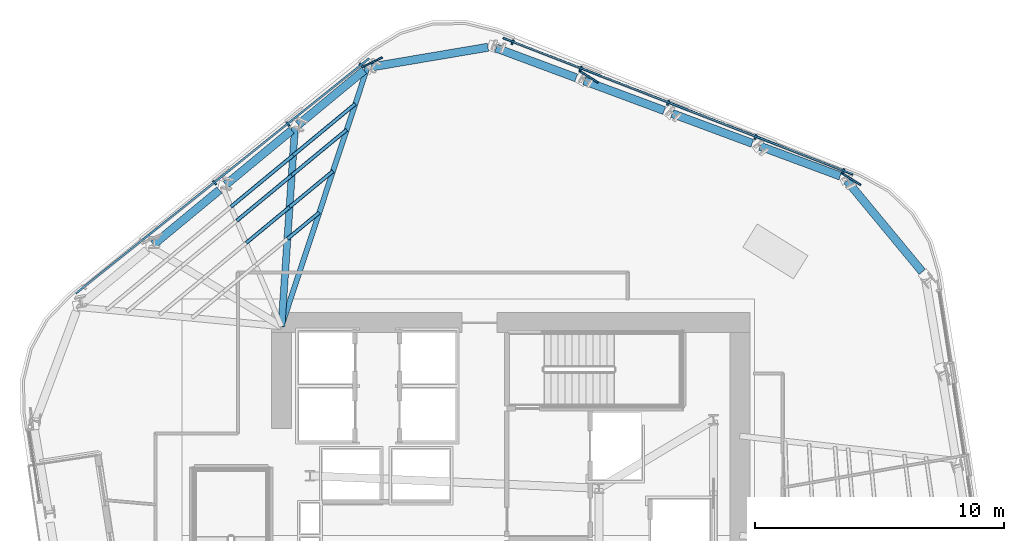
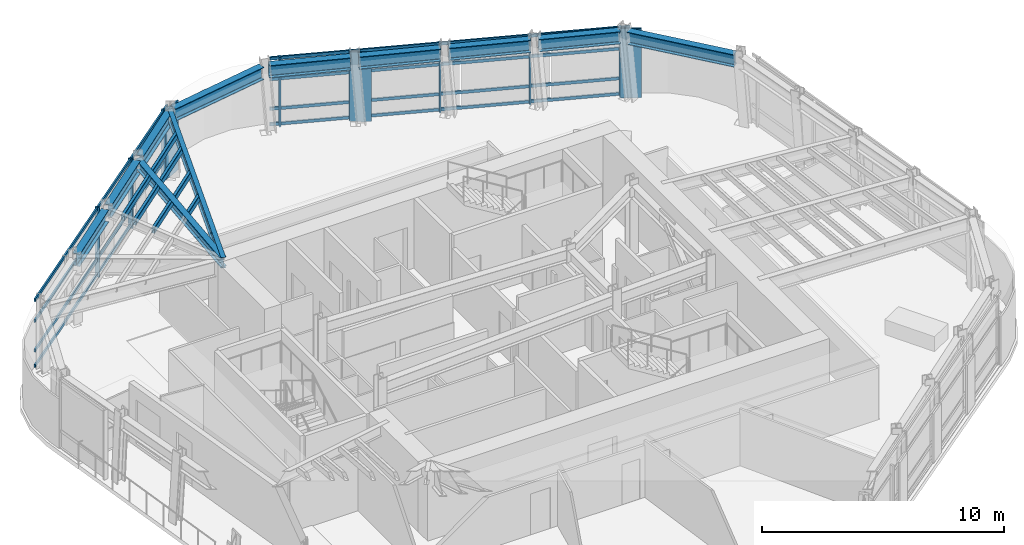
# One storey, part 6 of 15: 26 members, 11 beams, 2 elements without a shape of their own.
"""IFC4 building model written with IfcOpenShell, lengths in metres."""

from ifc_helpers import new_model, si_unit, direction, frame, origin, origin_2d, place, context, subcontext, project, spatial, rectangle, hollow_rectangle, i_section, extrude, material, layer, layer_set, material_profile, profile_set, type_object, element, aggregate, save


model = new_model("IFC4")

# Units and contexts
model_context = context("Model", 3, precision=1e-05, world=origin(), true_north=direction((0.0, 1.0)))
body_context = subcontext(model_context, "Body", "Model", "MODEL_VIEW")
ifc_project = project(units=[si_unit("LENGTHUNIT", "METRE"), si_unit("AREAUNIT", "SQUARE_METRE"), si_unit("VOLUMEUNIT", "CUBIC_METRE"), si_unit("PLANEANGLEUNIT", "RADIAN"), si_unit("MASSUNIT", "GRAM", prefix="KILO")], contexts=[model_context])

# Site, building, storey
site_placement = place(None, origin())
site = spatial("IfcSite", under=ifc_project, at=site_placement, CompositionType="ELEMENT")
building_placement = place(site_placement, origin())
building = spatial("IfcBuilding", under=site, at=building_placement, Name="Valkerne Bourse Tower", CompositionType="ELEMENT")
storey_placement = place(building_placement, frame((0.0, 0.0, 189.39990234375)))
storey = spatial("IfcBuildingStorey", under=building, at=storey_placement, Name="L48", CompositionType="ELEMENT", Elevation=189.39990234375)

# Beams
ifc_material_1 = material(Name="Steel ASTM A992", Category="steel")
ifc_material_profile_1 = material_profile(ifc_material_1, i_section(OverallWidth=0.279296875, OverallDepth=0.46240234375, WebThickness=0.0107421875, FlangeThickness=0.017333984375, FilletRadius=0.017822265625, at=origin_2d()), Name="W18X76")
ifc_profile_set_1 = profile_set([ifc_material_profile_1], Name="Steel ASTM A992")
beam_type_1 = type_object("IfcBeamType", Name="BM-W18X76", PredefinedType="BEAM", material=ifc_profile_set_1)
beam_1_placement = place(storey_placement, frame((38.140625, 43.38330078125, 3.288818359375), z_axis=(-0.067551765023, -0.997715770669, 0.0), x_axis=(0.997715770669, -0.067551765023, 0.0)))
element("IfcBeam", 1, at=beam_1_placement, inside=storey, type_object=beam_type_1, Name="L48 Radial Composite Floor Beam 06", PredefinedType="BEAM", context=body_context, shape_type="SweptSolid", body=[
    extrude(i_section(OverallWidth=0.279296875, OverallDepth=0.46240234375, WebThickness=0.0107421875, FlangeThickness=0.017333984375, FilletRadius=0.017822265625, at=origin_2d()), origin(), (0.0, 0.0, 1.0), 8.001708984375),
])
ifc_material_profile_2 = material_profile(ifc_material_1, i_section(OverallWidth=0.209228515625, OverallDepth=0.533447265625, WebThickness=0.01025390625, FlangeThickness=0.015625, FilletRadius=0.017822265625, at=origin_2d()), Name="W21X62")
ifc_profile_set_2 = profile_set([ifc_material_profile_2], Name="Steel ASTM A992")
beam_type_2 = type_object("IfcBeamType", Name="BM-W21X62", PredefinedType="JOIST", material=ifc_profile_set_2)
beam_2_placement = place(storey_placement, frame((41.04638671875, 45.787109375, 3.25341796875), z_axis=(-0.314902351297, -0.949124074686, 0.0), x_axis=(0.949124074686, -0.314902351297, 0.0)))
element("IfcBeam", 2, at=beam_2_placement, inside=storey, type_object=beam_type_2, Name="L48 Radial Composite Floor Beam 05", PredefinedType="JOIST", context=body_context, shape_type="SweptSolid", body=[
    extrude(i_section(OverallWidth=0.209228515625, OverallDepth=0.533447265625, WebThickness=0.01025390625, FlangeThickness=0.015625, FilletRadius=0.017822265625, at=origin_2d()), origin(), (0.0, 0.0, 1.0), 10.944091796875),
])
ifc_material_profile_3 = material_profile(ifc_material_1, i_section(OverallWidth=0.32763671875, OverallDepth=0.62744140625, WebThickness=0.0166015625, FlangeThickness=0.027587890625, FilletRadius=0.020263671875, at=origin_2d()), Name="W24X146")
ifc_profile_set_3 = profile_set([ifc_material_profile_3], Name="Steel ASTM A992")
beam_type_3 = type_object("IfcBeamType", Name="BM-W24X146", PredefinedType="SPANDREL", material=ifc_profile_set_3)
beam_3_placement = place(storey_placement, frame((60.033935546875, 41.435791015625, 3.206298828125), z_axis=(-0.937296469693, 0.348533108758, 0.0), x_axis=(-0.348533108758, -0.937296469693, 0.0)))
element("IfcBeam", 3, at=beam_3_placement, inside=storey, type_object=beam_type_3, Name="L48 Hexagonal Spandrel Ring Beam 00", PredefinedType="SPANDREL", context=body_context, shape_type="SweptSolid", body=[
    extrude(i_section(OverallWidth=0.32763671875, OverallDepth=0.62744140625, WebThickness=0.0166015625, FlangeThickness=0.027587890625, FilletRadius=0.020263671875, at=origin_2d()), origin(), (0.0, 0.0, 1.0), 3.430908203125),
])
beam_4_placement = place(storey_placement, frame((56.49951171875, 42.750244140625, 3.206298828125), z_axis=(-0.9373051128, 0.348509864305, 0.0), x_axis=(-0.348509864305, -0.9373051128, 0.0)))
element("IfcBeam", 4, at=beam_4_placement, inside=storey, type_object=beam_type_3, Name="L48 Hexagonal Spandrel Ring Beam 01", PredefinedType="SPANDREL", context=body_context, shape_type="SweptSolid", body=[
    extrude(i_section(OverallWidth=0.32763671875, OverallDepth=0.62744140625, WebThickness=0.0166015625, FlangeThickness=0.027587890625, FilletRadius=0.020263671875, at=origin_2d()), origin(), (0.0, 0.0, 1.0), 3.43115234375),
])
for number, where, z_axis, x_axis, name in (
    (5, (52.96484375, 44.064697265625, 3.206298828125), (-0.937296469693, 0.348533108758, 0.0), (-0.348533108758, -0.937296469693, 0.0), "L48 Hexagonal Spandrel Ring Beam 02"),
    (6, (49.430419921875, 45.379150390625, 3.206298828125), (-0.937296469693, 0.348533108758, 0.0), (-0.348533108758, -0.937296469693, 0.0), "L48 Hexagonal Spandrel Ring Beam 03"),
):
    element("IfcBeam", number, at=place(storey_placement, frame(where, z_axis=z_axis, x_axis=x_axis)), inside=storey, type_object=beam_type_3, Name=name, PredefinedType="SPANDREL", context=body_context, shape_type="SweptSolid", body=[
        extrude(i_section(OverallWidth=0.32763671875, OverallDepth=0.62744140625, WebThickness=0.0166015625, FlangeThickness=0.027587890625, FilletRadius=0.020263671875, at=origin_2d()), origin(), (0.0, 0.0, 1.0), 3.430908203125),
    ])
beam_5_placement = place(storey_placement, frame((45.8876953125, 46.60595703125, 3.206298828125), z_axis=(-0.985995742621, -0.1667704876, 0.0), x_axis=(0.1667704876, -0.985995742621, 0.0)))
element("IfcBeam", 7, at=beam_5_placement, inside=storey, type_object=beam_type_3, Name="L48 Hexagonal Spandrel Ring Beam 04", PredefinedType="SPANDREL", context=body_context, shape_type="SweptSolid", body=[
    extrude(i_section(OverallWidth=0.32763671875, OverallDepth=0.62744140625, WebThickness=0.0166015625, FlangeThickness=0.027587890625, FilletRadius=0.020263671875, at=origin_2d()), origin(), (0.0, 0.0, 1.0), 4.740234375),
])
for number, where, z_axis, x_axis, name in (
    (8, (40.915283203125, 45.6787109375, 3.206298828125), (-0.770502780031, -0.637436636823, 0.0), (0.637436636823, -0.770502780031, 0.0), "L48 Hexagonal Spandrel Ring Beam 05"),
    (9, (38.009765625, 43.27490234375, 3.206298828125), (-0.770502780031, -0.637436636823, 0.0), (0.637436636823, -0.770502780031, 0.0), "L48 Hexagonal Spandrel Ring Beam 06"),
    (10, (35.10400390625, 40.87109375, 3.206298828125), (-0.770537729655, -0.637394389039, 0.0), (0.637394389039, -0.770537729655, 0.0), "L48 Hexagonal Spandrel Ring Beam 07"),
):
    element("IfcBeam", number, at=place(storey_placement, frame(where, z_axis=z_axis, x_axis=x_axis)), inside=storey, type_object=beam_type_3, Name=name, PredefinedType="SPANDREL", context=body_context, shape_type="SweptSolid", body=[
        extrude(i_section(OverallWidth=0.32763671875, OverallDepth=0.62744140625, WebThickness=0.0166015625, FlangeThickness=0.027587890625, FilletRadius=0.020263671875, at=origin_2d()), origin(), (0.0, 0.0, 1.0), 3.430908203125),
    ])
beam_6_placement = place(storey_placement, frame((63.322998046875, 37.593017578125, 3.206298828125), z_axis=(-0.637424347152, 0.770512947106, 0.0), x_axis=(-0.770512947106, -0.637424347152, 0.0)))
element("IfcBeam", 11, at=beam_6_placement, inside=storey, type_object=beam_type_3, Name="L48 Hexagonal Spandrel Ring Beam 29", PredefinedType="SPANDREL", context=body_context, shape_type="SweptSolid", body=[
    extrude(i_section(OverallWidth=0.32763671875, OverallDepth=0.62744140625, WebThickness=0.0166015625, FlangeThickness=0.027587890625, FilletRadius=0.020263671875, at=origin_2d()), origin(), (0.0, 0.0, 1.0), 4.740234375),
])

# Curtain wall, members
ifc_material_2 = material(Name="Aluminium AA 6063-T6", Category="aluminium")
ifc_layer = layer(ifc_material_2, 0.235107421875)
ifc_layer_set = layer_set([ifc_layer], Name="Aluminium AA 6063-T6")
curtain_wall_type = type_object("IfcCurtainWallType", Name="CW-03", PredefinedType="NOTDEFINED", material=ifc_layer_set)
curtain_wall_1_placement = place(storey_placement, origin())
curtain_wall_1 = element("IfcCurtainWall", 12, at=curtain_wall_1_placement, inside=storey, type_object=curtain_wall_type, Name="L48 Hexagonal Stick Curtain Wall Face 1", PredefinedType="NOTDEFINED")
ifc_material_profile_4 = material_profile(ifc_material_2, rectangle(XDim=0.074951171875, YDim=0.199951171875, at=origin_2d()), Name="CWM-75X200")
ifc_profile_set_4 = profile_set([ifc_material_profile_4], Name="Aluminium AA 6063-T6")
member_type_1 = type_object("IfcMemberType", Name="CW-MUL-220X75", PredefinedType="MULLION", material=ifc_profile_set_4)
member_1_placement = place(storey_placement, frame((60.149658203125, 41.633544921875, 0.0), z_axis=(0.0, 0.0, 1.0), x_axis=(-0.931683816039, 0.363270239534, 0.0)))
member_1 = element("IfcMember", 13, at=member_1_placement, type_object=member_type_1, Name="CW-L48-F1 Jamb Mullion 00A", PredefinedType="MULLION", context=body_context, shape_type="SweptSolid", body=[
    extrude(rectangle(XDim=0.074951171875, YDim=0.199951171875, at=origin_2d()), origin(), (0.0, 0.0, 1.0), 3.52001953125),
])
member_2_placement = place(storey_placement, frame((56.63623046875, 43.00341796875, 0.0), z_axis=(0.0, 0.0, 1.0), x_axis=(-0.93169279094, 0.36324722065, 0.0)))
member_2 = element("IfcMember", 14, at=member_2_placement, type_object=member_type_1, Name="CW-L48-F1 Jamb Mullion 01A", PredefinedType="MULLION", context=body_context, shape_type="SweptSolid", body=[
    extrude(rectangle(XDim=0.074951171875, YDim=0.199951171875, at=origin_2d()), origin(), (0.0, 0.0, 1.0), 3.52001953125),
])
member_3_placement = place(storey_placement, frame((53.122802734375, 44.373291015625, 0.0), z_axis=(0.0, 0.0, 1.0), x_axis=(-0.931696289859, 0.363238246145, 0.0)))
member_3 = element("IfcMember", 15, at=member_3_placement, type_object=member_type_1, Name="CW-L48-F1 Jamb Mullion 02A", PredefinedType="MULLION", context=body_context, shape_type="SweptSolid", body=[
    extrude(rectangle(XDim=0.074951171875, YDim=0.199951171875, at=origin_2d()), origin(), (0.0, 0.0, 1.0), 3.52001953125),
])
member_4_placement = place(storey_placement, frame((49.609375, 45.742919921875, 0.0), z_axis=(0.0, 0.0, 1.0), x_axis=(-0.93169279094, 0.36324722065, 0.0)))
member_4 = element("IfcMember", 16, at=member_4_placement, type_object=member_type_1, Name="CW-L48-F1 Jamb Mullion 03A", PredefinedType="MULLION", context=body_context, shape_type="SweptSolid", body=[
    extrude(rectangle(XDim=0.074951171875, YDim=0.199951171875, at=origin_2d()), origin(), (0.0, 0.0, 1.0), 3.52001953125),
])
member_5_placement = place(storey_placement, frame((46.87841796875, 46.8076171875, 0.0), z_axis=(0.0, 0.0, 1.0), x_axis=(-0.93169279094, 0.36324722065, 0.0)))
member_5 = element("IfcMember", 17, at=member_5_placement, type_object=member_type_1, Name="CW-L48-F1 Jamb Mullion 03B", PredefinedType="MULLION", context=body_context, shape_type="SweptSolid", body=[
    extrude(rectangle(XDim=0.074951171875, YDim=0.199951171875, at=origin_2d()), origin(), (0.0, 0.0, 1.0), 3.52001953125),
])

curtain_wall_2_placement = place(storey_placement, origin())
curtain_wall_2 = element("IfcCurtainWall", 18, at=curtain_wall_2_placement, inside=storey, type_object=curtain_wall_type, Name="L48 Hexagonal Stick Curtain Wall Face 2", PredefinedType="NOTDEFINED")
member_6_placement = place(storey_placement, frame((40.8017578125, 45.877685546875, 0.0), z_axis=(0.0, 0.0, 1.0), x_axis=(-0.780428802886, -0.625244659014, 0.0)))
member_6 = element("IfcMember", 19, at=member_6_placement, type_object=member_type_1, Name="CW-L48-F2 Jamb Mullion 00A", PredefinedType="MULLION", context=body_context, shape_type="SweptSolid", body=[
    extrude(rectangle(XDim=0.074951171875, YDim=0.199951171875, at=origin_2d()), origin(), (0.0, 0.0, 1.0), 3.52001953125),
])
member_7_placement = place(storey_placement, frame((37.858642578125, 43.52001953125, 0.0), z_axis=(0.0, 0.0, 1.0), x_axis=(-0.780428802886, -0.625244659014, 0.0)))
member_7 = element("IfcMember", 20, at=member_7_placement, type_object=member_type_1, Name="CW-L48-F2 Jamb Mullion 01A", PredefinedType="MULLION", context=body_context, shape_type="SweptSolid", body=[
    extrude(rectangle(XDim=0.074951171875, YDim=0.199951171875, at=origin_2d()), origin(), (0.0, 0.0, 1.0), 3.52001953125),
])
member_8_placement = place(storey_placement, frame((34.915771484375, 41.162109375, 0.0), z_axis=(0.0, 0.0, 1.0), x_axis=(-0.780428802886, -0.625244659014, 0.0)))
member_8 = element("IfcMember", 21, at=member_8_placement, type_object=member_type_1, Name="CW-L48-F2 Jamb Mullion 02A", PredefinedType="MULLION", context=body_context, shape_type="SweptSolid", body=[
    extrude(rectangle(XDim=0.074951171875, YDim=0.199951171875, at=origin_2d()), origin(), (0.0, 0.0, 1.0), 3.52001953125),
])

# Member
ifc_material_profile_5 = material_profile(ifc_material_2, rectangle(XDim=0.074951171875, YDim=0.14990234375, at=origin_2d()), Name="CWT-75X150")
ifc_profile_set_5 = profile_set([ifc_material_profile_5], Name="Aluminium AA 6063-T6")
member_type_2 = type_object("IfcMemberType", Name="CW-TRN-180X65", PredefinedType="USERDEFINED", material=ifc_profile_set_5)
member_9_placement = place(storey_placement, frame((60.548095703125, 41.49951171875, 0.1201171875), z_axis=(-0.931687205605, 0.36326154615, 0.0), x_axis=(-0.36326154615, -0.931687205605, 0.0)))
member_9 = element("IfcMember", 22, at=member_9_placement, type_object=member_type_2, Name="CW-L48-F1 Continuous Face Transom 1", ObjectType="TRANSOM", PredefinedType="USERDEFINED", context=body_context, shape_type="SweptSolid", body=[
    extrude(rectangle(XDim=0.074951171875, YDim=0.14990234375, at=origin_2d()), origin(), (0.0, 0.0, 1.0), 15.084228515625),
])

member_10_placement = place(storey_placement, frame((60.548095703125, 41.49951171875, 0.900146484375), z_axis=(-0.931687205605, 0.36326154615, 0.0), x_axis=(-0.36326154615, -0.931687205605, 0.0)))
member_10 = element("IfcMember", 23, at=member_10_placement, type_object=member_type_2, Name="CW-L48-F1 Continuous Face Transom 2", ObjectType="TRANSOM", PredefinedType="USERDEFINED", context=body_context, shape_type="SweptSolid", body=[
    extrude(rectangle(XDim=0.074951171875, YDim=0.14990234375, at=origin_2d()), origin(), (0.0, 0.0, 1.0), 15.084228515625),
])

member_11_placement = place(storey_placement, frame((60.548095703125, 41.49951171875, 2.400146484375), z_axis=(-0.931687205605, 0.36326154615, 0.0), x_axis=(-0.36326154615, -0.931687205605, 0.0)))
member_11 = element("IfcMember", 24, at=member_11_placement, type_object=member_type_2, Name="CW-L48-F1 Continuous Face Transom 3", ObjectType="TRANSOM", PredefinedType="USERDEFINED", context=body_context, shape_type="SweptSolid", body=[
    extrude(rectangle(XDim=0.074951171875, YDim=0.14990234375, at=origin_2d()), origin(), (0.0, 0.0, 1.0), 15.084228515625),
])

member_12_placement = place(storey_placement, frame((60.548095703125, 41.49951171875, 3.440185546875), z_axis=(-0.931687205605, 0.36326154615, 0.0), x_axis=(-0.36326154615, -0.931687205605, 0.0)))
member_12 = element("IfcMember", 25, at=member_12_placement, type_object=member_type_2, Name="CW-L48-F1 Continuous Face Transom 4", ObjectType="TRANSOM", PredefinedType="USERDEFINED", context=body_context, shape_type="SweptSolid", body=[
    extrude(rectangle(XDim=0.074951171875, YDim=0.14990234375, at=origin_2d()), origin(), (0.0, 0.0, 1.0), 15.084228515625),
])

aggregate(curtain_wall_1, [member_9, member_10, member_11, member_12, member_1, member_2, member_3, member_4, member_5])

member_13_placement = place(storey_placement, frame((41.116943359375, 46.156005859375, 0.1201171875), z_axis=(-0.78042963588, -0.625243619272, 0.0), x_axis=(0.625243619272, -0.78042963588, 0.0)))
member_13 = element("IfcMember", 26, at=member_13_placement, type_object=member_type_2, Name="CW-L48-F2 Continuous Face Transom 1", ObjectType="TRANSOM", PredefinedType="USERDEFINED", context=body_context, shape_type="SweptSolid", body=[
    extrude(rectangle(XDim=0.074951171875, YDim=0.14990234375, at=origin_2d()), origin(), (0.0, 0.0, 1.0), 15.083984375),
])

member_14_placement = place(storey_placement, frame((41.116943359375, 46.156005859375, 0.900146484375), z_axis=(-0.78042963588, -0.625243619272, 0.0), x_axis=(0.625243619272, -0.78042963588, 0.0)))
member_14 = element("IfcMember", 27, at=member_14_placement, type_object=member_type_2, Name="CW-L48-F2 Continuous Face Transom 2", ObjectType="TRANSOM", PredefinedType="USERDEFINED", context=body_context, shape_type="SweptSolid", body=[
    extrude(rectangle(XDim=0.074951171875, YDim=0.14990234375, at=origin_2d()), origin(), (0.0, 0.0, 1.0), 15.083984375),
])

member_15_placement = place(storey_placement, frame((41.116943359375, 46.156005859375, 2.400146484375), z_axis=(-0.78042963588, -0.625243619272, 0.0), x_axis=(0.625243619272, -0.78042963588, 0.0)))
member_15 = element("IfcMember", 28, at=member_15_placement, type_object=member_type_2, Name="CW-L48-F2 Continuous Face Transom 3", ObjectType="TRANSOM", PredefinedType="USERDEFINED", context=body_context, shape_type="SweptSolid", body=[
    extrude(rectangle(XDim=0.074951171875, YDim=0.14990234375, at=origin_2d()), origin(), (0.0, 0.0, 1.0), 15.083984375),
])

member_16_placement = place(storey_placement, frame((41.116943359375, 46.156005859375, 3.440185546875), z_axis=(-0.78042963588, -0.625243619272, 0.0), x_axis=(0.625243619272, -0.78042963588, 0.0)))
member_16 = element("IfcMember", 29, at=member_16_placement, type_object=member_type_2, Name="CW-L48-F2 Continuous Face Transom 4", ObjectType="TRANSOM", PredefinedType="USERDEFINED", context=body_context, shape_type="SweptSolid", body=[
    extrude(rectangle(XDim=0.074951171875, YDim=0.14990234375, at=origin_2d()), origin(), (0.0, 0.0, 1.0), 15.083984375),
])

aggregate(curtain_wall_2, [member_13, member_14, member_15, member_16, member_6, member_7, member_8])

# Members
ifc_material_3 = material(Name="Bronze Anodised Aluminium AA 6063-T6", Category="aluminium")
ifc_material_profile_6 = material_profile(ifc_material_3, rectangle(XDim=0.070068359375, YDim=0.89990234375, at=origin_2d()), Name="FIN-70X900")
ifc_profile_set_6 = profile_set([ifc_material_profile_6], Name="Bronze Anodised Aluminium AA 6063-T6")
member_type_3 = type_object("IfcMemberType", Name="FIN-SOLAR-900", PredefinedType="USERDEFINED", material=ifc_profile_set_6)
for number, where, z_axis, x_axis, name in (
    (30, (60.4755859375, 41.313232421875, 0.004150390625), (0.0, 0.0, 1.0), (0.53191227776, 0.846799461955, 0.0), "L48 Bronze Anodised Solar Fin F1-00"),
    (31, (49.935302734375, 45.4228515625, 0.004150390625), (0.0, 0.0, 1.0), (0.531894594016, 0.846810569641, 0.0), "L48 Bronze Anodised Solar Fin F1-03"),
    (32, (41.2421875, 46.0, 0.004150390625), (0.0, 0.0, 1.0), (-0.432147815032, 0.901802786624, 0.0), "L48 Bronze Anodised Solar Fin F2-00"),
):
    element("IfcMember", number, at=place(storey_placement, frame(where, z_axis=z_axis, x_axis=x_axis)), inside=storey, type_object=member_type_3, Name=name, ObjectType="SOLAR_FIN", PredefinedType="USERDEFINED", context=body_context, shape_type="SweptSolid", body=[
        extrude(rectangle(XDim=0.070068359375, YDim=0.89990234375, at=origin_2d()), origin(), (0.0, 0.0, 1.0), 3.511962890625),
    ])
ifc_material_4 = material(Name="Steel ASTM A500 Grade C", Category="steel")
ifc_material_profile_7 = material_profile(ifc_material_4, hollow_rectangle(XDim=0.14990234375, YDim=0.300048828125, WallThickness=0.012451171875, OuterFilletRadius=0.02490234375, at=origin_2d()), Name="HSS300X150X12.5")
ifc_profile_set_7 = profile_set([ifc_material_profile_7], Name="Steel ASTM A500 Grade C")
member_type_4 = type_object("IfcMemberType", Name="MBR-HSS300X150X12.5", PredefinedType="PURLIN", material=ifc_profile_set_7)
member_17_placement = place(storey_placement, frame((39.116455078125, 39.97021484375, 3.360107421875), z_axis=(-0.770543822735, -0.637387023122, 0.0), x_axis=(0.637387023122, -0.770543822735, 0.0)))
element("IfcMember", 33, at=member_17_placement, inside=storey, type_object=member_type_4, Name="L48 Secondary Composite Floor Purlin K-05", PredefinedType="PURLIN", context=body_context, shape_type="SweptSolid", body=[
    extrude(hollow_rectangle(XDim=0.14990234375, YDim=0.300048828125, WallThickness=0.012451171875, OuterFilletRadius=0.02490234375, at=origin_2d()), origin(), (0.0, 0.0, 1.0), 1.6591796875),
])
for number, where, z_axis, x_axis, name in (
    (34, (40.21923828125, 43.294189453125, 3.360107421875), (-0.7704996348, -0.637440438608, 0.0), (0.637440438608, -0.7704996348, 0.0), "L48 Secondary Composite Floor Purlin O-05"),
    (35, (38.010986328125, 41.46728515625, 3.360107421875), (-0.7704996348, -0.637440438608, 0.0), (0.637440438608, -0.7704996348, 0.0), "L48 Secondary Composite Floor Purlin O-06"),
):
    element("IfcMember", number, at=place(storey_placement, frame(where, z_axis=z_axis, x_axis=x_axis)), inside=storey, type_object=member_type_4, Name=name, PredefinedType="PURLIN", context=body_context, shape_type="SweptSolid", body=[
        extrude(hollow_rectangle(XDim=0.14990234375, YDim=0.300048828125, WallThickness=0.012451171875, OuterFilletRadius=0.02490234375, at=origin_2d()), origin(), (0.0, 0.0, 1.0), 2.865966796875),
    ])
member_18_placement = place(storey_placement, frame((39.667724609375, 41.63232421875, 3.360107421875), z_axis=(-0.770489340731, -0.637452881255, 0.0), x_axis=(0.637452881255, -0.770489340731, 0.0)))
element("IfcMember", 36, at=member_18_placement, inside=storey, type_object=member_type_4, Name="L48 Secondary Composite Floor Purlin Z-05", PredefinedType="PURLIN", context=body_context, shape_type="SweptSolid", body=[
    extrude(hollow_rectangle(XDim=0.14990234375, YDim=0.300048828125, WallThickness=0.012451171875, OuterFilletRadius=0.02490234375, at=origin_2d()), origin(), (0.0, 0.0, 1.0), 2.2626953125),
])
member_19_placement = place(storey_placement, frame((37.92431640625, 40.18994140625, 3.360107421875), z_axis=(-0.770498492153, -0.637441819769, 0.0), x_axis=(0.637441819769, -0.770498492153, 0.0)))
element("IfcMember", 37, at=member_19_placement, inside=storey, type_object=member_type_4, Name="L48 Secondary Composite Floor Purlin Z-06", PredefinedType="PURLIN", context=body_context, shape_type="SweptSolid", body=[
    extrude(hollow_rectangle(XDim=0.14990234375, YDim=0.300048828125, WallThickness=0.012451171875, OuterFilletRadius=0.02490234375, at=origin_2d()), origin(), (0.0, 0.0, 1.0), 2.262451171875),
])
member_20_placement = place(storey_placement, frame((40.563720703125, 44.3330078125, 3.360107421875), z_axis=(-0.77048101506, -0.63746294436, 0.0), x_axis=(0.63746294436, -0.77048101506, 0.0)))
element("IfcMember", 38, at=member_20_placement, inside=storey, type_object=member_type_4, Name="L48 Secondary Composite Floor Purlin T-05", PredefinedType="PURLIN", context=body_context, shape_type="SweptSolid", body=[
    extrude(hollow_rectangle(XDim=0.14990234375, YDim=0.300048828125, WallThickness=0.012451171875, OuterFilletRadius=0.02490234375, at=origin_2d()), origin(), (0.0, 0.0, 1.0), 3.2431640625),
])
member_21_placement = place(storey_placement, frame((38.06494140625, 42.265625, 3.360107421875), z_axis=(-0.770517989074, -0.637418252417, 0.0), x_axis=(0.637418252417, -0.770517989074, 0.0)))
element("IfcMember", 39, at=member_21_placement, inside=storey, type_object=member_type_4, Name="L48 Secondary Composite Floor Purlin T-06", PredefinedType="PURLIN", context=body_context, shape_type="SweptSolid", body=[
    extrude(hollow_rectangle(XDim=0.14990234375, YDim=0.300048828125, WallThickness=0.012451171875, OuterFilletRadius=0.02490234375, at=origin_2d()), origin(), (0.0, 0.0, 1.0), 3.242919921875),
])

save(model, "model.ifc")
